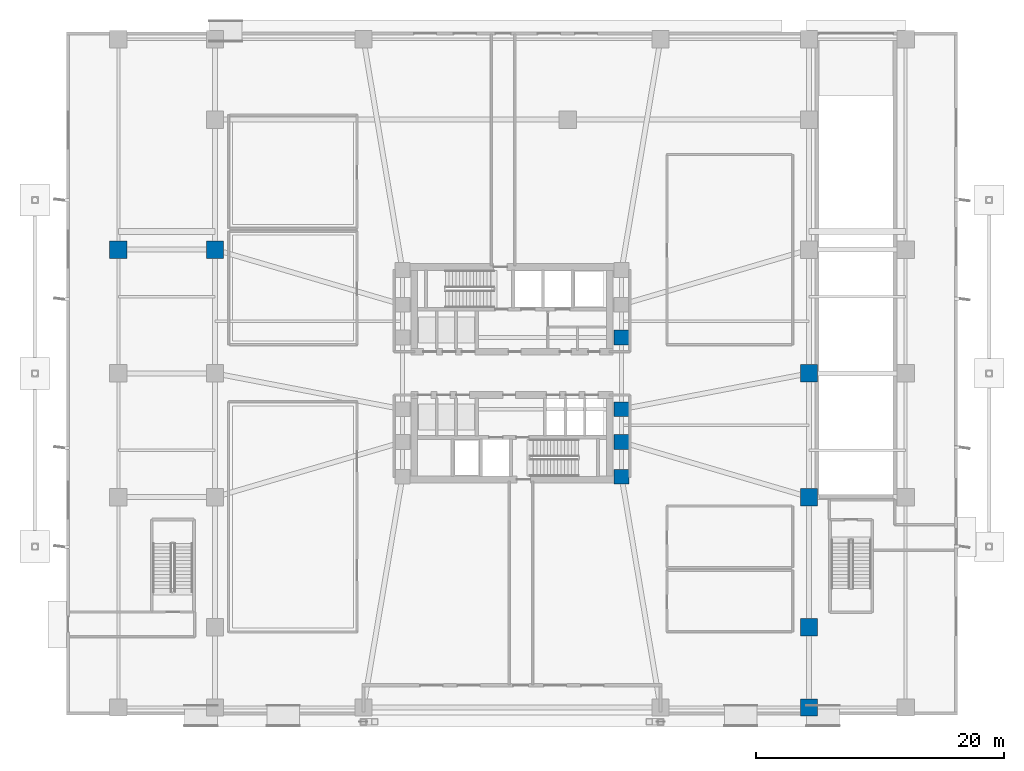
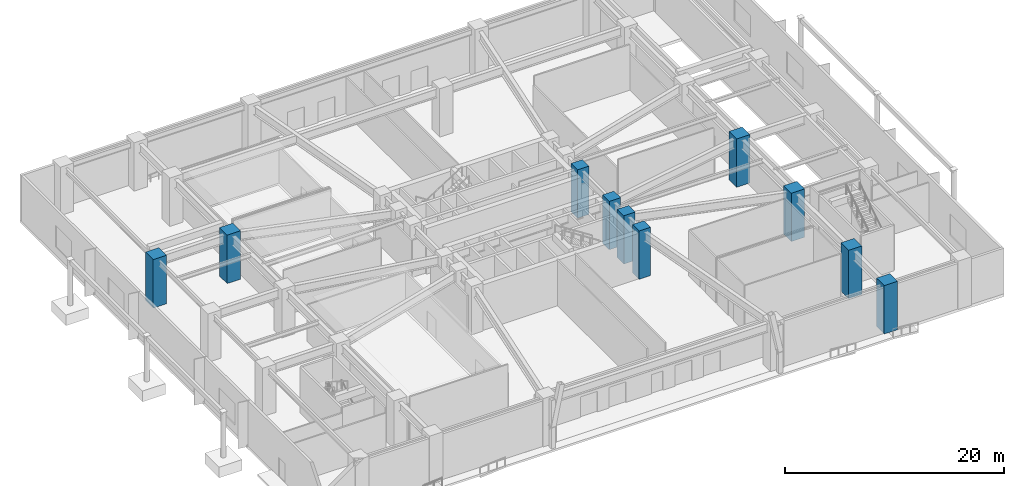
# One storey, part 3 of 20: 10 columns.
"""IFC4 building model written with IfcOpenShell, lengths in metres."""

import ifcopenshell
import ifcopenshell.guid

model = None  # the IFC model being written
_history = None  # IfcOwnerHistory: only IFC2X3 demands one
_inside = {}  # id of a spatial element -> (the spatial element, [elements in it])
_under = {}  # id of a project, library or spatial element -> (it, [spatial elements below it])
_declared = {}  # id of a project -> (the project, [libraries it declares])
_typed = {}  # id of a type object -> (the type object, [elements of that type])
_made_of = {}  # id of a material, layer set ... -> (it, [elements and type objects made of it])


def new_model(schema):
    """Start an empty IFC model of exactly this schema.

    Asked for "IFC4X3", IfcOpenShell would pick the latest addendum, in which some entities
    have other attributes; the version numbers below select the first issue.
    IFC2X3 requires an IfcOwnerHistory on every rooted entity: one is made here for all.
    """
    global model, _history
    if schema == "IFC4X3":
        model = ifcopenshell.file(schema_version=(4, 3, 0, 0))
    else:
        model = ifcopenshell.file(schema=schema)
    _inside.clear()
    _under.clear()
    _declared.clear()
    _typed.clear()
    _made_of.clear()
    _history = None
    if model.schema == "IFC2X3":
        org = make("IfcOrganization", Name="unknown")
        user = make(
            "IfcPersonAndOrganization",
            ThePerson=make("IfcPerson", FamilyName="unknown"),
            TheOrganization=org,
        )
        app = make(
            "IfcApplication",
            ApplicationDeveloper=org,
            Version="unknown",
            ApplicationFullName="unknown",
            ApplicationIdentifier="unknown",
        )
        _history = make(
            "IfcOwnerHistory",
            OwningUser=user,
            OwningApplication=app,
            ChangeAction="ADDED",
            CreationDate=0,
        )
    return model


def make(cls, **values):
    """One entity of the class cls with the attributes given. An attribute that is None is left unset."""
    return model.create_entity(
        cls, **{name: value for name, value in values.items() if value is not None}
    )


def rooted(cls, **values):
    """An entity with a GlobalId (a new one), such as an element, a storey or a relation."""
    return make(cls, GlobalId=ifcopenshell.guid.new(), OwnerHistory=_history, **values)


def si_unit(unit_type, name, prefix=None):
    """IfcSIUnit, for example si_unit("LENGTHUNIT", "METRE", prefix="MILLI")."""
    return make("IfcSIUnit", UnitType=unit_type, Prefix=prefix, Name=name)


def assignment(units):
    """IfcUnitAssignment: the units of a project."""
    return None if units is None else make("IfcUnitAssignment", Units=units)


def point(xyz):
    """IfcCartesianPoint."""
    return None if xyz is None else make("IfcCartesianPoint", Coordinates=xyz)


def direction(xyz):
    """IfcDirection."""
    return None if xyz is None else make("IfcDirection", DirectionRatios=xyz)


def frame(location, z_axis=None, x_axis=None):
    """IfcAxis2Placement3D, a coordinate frame: its origin and axes. An axis left out is left unset."""
    return make(
        "IfcAxis2Placement3D",
        Location=point(location),
        Axis=direction(z_axis),
        RefDirection=direction(x_axis),
    )


def frame_2d(location, x_axis=None):
    """IfcAxis2Placement2D, a coordinate frame in the plane: its origin and x axis."""
    return make(
        "IfcAxis2Placement2D", Location=point(location), RefDirection=direction(x_axis)
    )


def origin():
    """The frame at (0, 0, 0) with its axes left unset."""
    return frame((0.0, 0.0, 0.0))


def origin_2d():
    """The frame at (0, 0) in the plane with its x axis left unset."""
    return frame_2d((0.0, 0.0))


def place(relative_to, where):
    """IfcLocalPlacement: puts the frame where relative to a parent placement (None: the world)."""
    return make(
        "IfcLocalPlacement", PlacementRelTo=relative_to, RelativePlacement=where
    )


def context(
    kind, dimensions, precision=None, world=None, true_north=None, identifier=None
):
    """IfcGeometricRepresentationContext, for example the 3D "Model" context."""
    return make(
        "IfcGeometricRepresentationContext",
        ContextIdentifier=identifier,
        ContextType=kind,
        CoordinateSpaceDimension=dimensions,
        Precision=precision,
        WorldCoordinateSystem=world,
        TrueNorth=true_north,
    )


def subcontext(parent, identifier, kind, view, scale=None):
    """IfcGeometricRepresentationSubContext, for example "Body" below "Model"."""
    return make(
        "IfcGeometricRepresentationSubContext",
        ContextIdentifier=identifier,
        ContextType=kind,
        ParentContext=parent,
        TargetScale=scale,
        TargetView=view,
    )


def project(units=None, contexts=None):
    """IfcProject with its units and contexts."""
    return rooted(
        "IfcProject",
        Name="project",
        RepresentationContexts=contexts,
        UnitsInContext=assignment(units),
    )


def spatial(cls, under=None, at=None, **own):
    """A site, building, storey or space (cls), placed at a placement, below another one or the project."""
    s = rooted(cls, ObjectPlacement=at, **own)
    if under is not None:
        _under.setdefault(under.id(), (under, []))[1].append(s)
    return s


def profile(cls, at=None, kind="AREA", **sizes):
    """A parametric profile (cls). Its sizes go by their IFC names, for example OverallWidth=200.0."""
    return make(cls, ProfileType=kind, Position=at, **sizes)


def rectangle(**sizes):
    """IfcRectangleProfileDef."""
    return profile("IfcRectangleProfileDef", **sizes)


def extrude(swept, where, along, depth):
    """IfcExtrudedAreaSolid: the profile swept, set in the frame where, extruded along a direction by depth."""
    return make(
        "IfcExtrudedAreaSolid",
        SweptArea=swept,
        Position=where,
        ExtrudedDirection=direction(along),
        Depth=depth,
    )


def shape(context_of_items, identifier, shape_type, items):
    """IfcShapeRepresentation: the items that make up one representation, for example the "Body"."""
    return make(
        "IfcShapeRepresentation",
        ContextOfItems=context_of_items,
        RepresentationIdentifier=identifier,
        RepresentationType=shape_type,
        Items=items,
    )


def material(Name=None, Category=None):
    """IfcMaterial."""
    return make("IfcMaterial", Name=Name, Category=Category)


def material_profile(
    of_material, cross_section, Name=None, Category=None, Priority=None
):
    """IfcMaterialProfile: a cross section and its material."""
    return make(
        "IfcMaterialProfile",
        Name=Name,
        Material=of_material,
        Profile=cross_section,
        Priority=Priority,
        Category=Category,
    )


def profile_set(profiles, Name=None, composite=None):
    """IfcMaterialProfileSet."""
    return make(
        "IfcMaterialProfileSet",
        Name=Name,
        MaterialProfiles=profiles,
        CompositeProfile=composite,
    )


def made_of(thing, what):
    """Note that an element or type object is made of a material, layer set ...; save() writes the relation."""
    if what is not None:
        _made_of.setdefault(what.id(), (what, []))[1].append(thing)
    return thing


def type_object(cls, material=None, **own):
    """A type object (cls), such as IfcWallType, which elements share."""
    return made_of(rooted(cls, **own), material)


def element(
    cls,
    number,
    at=None,
    inside=None,
    cuts=None,
    type_object=None,
    material=None,
    context=None,
    identifier="Body",
    shape_type=None,
    held_by="IfcProductDefinitionShape",
    body=None,
    shapes=None,
    **own,
):
    """One element of the class cls, such as IfcWall. Its Tag is "e" and its number.

    at: its placement. inside: the storey or other place that contains it. cuts: it is an
    opening in that element (IfcRelVoidsElement). A single representation is given by context,
    identifier, shape_type and body (its items); several are given by shapes. held_by: the class
    of the entity that holds the representations. save() writes the other relations.
    """
    e = rooted(cls, Tag="e%d" % number, ObjectPlacement=at, **own)
    if body is not None:
        shapes = [shape(context, identifier, shape_type, body)]
    if shapes is not None:
        e.Representation = make(held_by, Representations=shapes)
    if inside is not None:
        _inside.setdefault(inside.id(), (inside, []))[1].append(e)
    if cuts is not None:
        rooted(
            "IfcRelVoidsElement", RelatingBuildingElement=cuts, RelatedOpeningElement=e
        )
    if type_object is not None:
        _typed.setdefault(type_object.id(), (type_object, []))[1].append(e)
    return made_of(e, material)


def aggregate(whole, parts):
    """IfcRelAggregates: a whole, such as a stair, and the parts it consists of."""
    return rooted("IfcRelAggregates", RelatingObject=whole, RelatedObjects=parts)


def save(model, path):
    """Write the relations noted so far, then the file.

    IfcRelAggregates (storeys below a building ...), IfcRelContainedInSpatialStructure (elements
    in a storey), IfcRelDefinesByType, IfcRelAssociatesMaterial and IfcRelDeclares: one each for
    every whole, place, type object, material and project.
    """
    for whole, parts in _under.values():
        aggregate(whole, parts)
    for where, things in _inside.values():
        rooted(
            "IfcRelContainedInSpatialStructure",
            RelatedElements=things,
            RelatingStructure=where,
        )
    for kind, things in _typed.values():
        rooted("IfcRelDefinesByType", RelatedObjects=things, RelatingType=kind)
    for what, things in _made_of.values():
        rooted("IfcRelAssociatesMaterial", RelatedObjects=things, RelatingMaterial=what)
    for by, libraries in _declared.values():
        rooted("IfcRelDeclares", RelatingContext=by, RelatedDefinitions=libraries)
    model.write(path)


model = new_model("IFC4")

# Units and contexts
model_context = context("Model", 3, precision=1e-05, world=origin(), true_north=direction((0.0, 1.0)))
body_context = subcontext(model_context, "Body", "Model", "MODEL_VIEW")
ifc_project = project(units=[si_unit("LENGTHUNIT", "METRE"), si_unit("AREAUNIT", "SQUARE_METRE"), si_unit("VOLUMEUNIT", "CUBIC_METRE"), si_unit("PLANEANGLEUNIT", "RADIAN"), si_unit("MASSUNIT", "GRAM", prefix="KILO")], contexts=[model_context])

# Site, building, storey
site_placement = place(None, origin())
site = spatial("IfcSite", under=ifc_project, at=site_placement, CompositionType="ELEMENT")
building_placement = place(site_placement, origin())
building = spatial("IfcBuilding", under=site, at=building_placement, Name="Solmarez Civic Tower", CompositionType="ELEMENT")
storey_placement = place(building_placement, origin())
storey = spatial("IfcBuildingStorey", under=building, at=storey_placement, Name="L00", CompositionType="ELEMENT", Elevation=0.0)

# Columns
ifc_material = material(Name="Concrete C60/75", Category="concrete")
ifc_material_profile_1 = material_profile(ifc_material, rectangle(XDim=1.199951171875, YDim=1.199951171875, at=origin_2d()), Name="RC1200X1200")
ifc_profile_set_1 = profile_set([ifc_material_profile_1], Name="Concrete C60/75")
column_type_1 = type_object("IfcColumnType", Name="COL-RC1200", PredefinedType="COLUMN", material=ifc_profile_set_1)
for number, where, z_axis, x_axis, name in (
    (1, (8.85009765625, -5.550048828125, 0.0), (0.0, 0.0, 1.0), (1.0, 0.0, 0.0), "L00 Structural Column HC5"),
    (2, (8.85009765625, -2.89990234375, 0.0), (0.0, 0.0, 1.0), (1.0, 0.0, 0.0), "L00 Structural Column HC6"),
    (3, (8.85009765625, 2.89990234375, 0.0), (0.0, 0.0, 1.0), (1.0, 0.0, 0.0), "L00 Structural Column HC7"),
    (4, (8.85009765625, -8.35009765625, 0.0), (0.0, 0.0, 1.0), (1.0, 0.0, 0.0), "L00 Structural Column HC10"),
):
    element("IfcColumn", number, at=place(storey_placement, frame(where, z_axis=z_axis, x_axis=x_axis)), inside=storey, type_object=column_type_1, Name=name, PredefinedType="COLUMN", context=body_context, shape_type="SweptSolid", body=[
        extrude(rectangle(XDim=1.199951171875, YDim=1.199951171875, at=origin_2d()), origin(), (0.0, 0.0, 1.0), 5.39990234375),
    ])
ifc_material_profile_2 = material_profile(ifc_material, rectangle(XDim=1.39990234375, YDim=1.39990234375, at=origin_2d()), Name="RC1400X1400")
ifc_profile_set_2 = profile_set([ifc_material_profile_2], Name="Concrete C60/75")
column_type_2 = type_object("IfcColumnType", Name="COL-RC1400", PredefinedType="COLUMN", material=ifc_profile_set_2)
for number, where, z_axis, x_axis, name in (
    (5, (24.0, -27.0, 0.0), (0.0, 0.0, 1.0), (1.0, 0.0, 0.0), "L00 Structural Column PC05"),
    (6, (-31.800048828125, 10.0, 0.0), (0.0, 0.0, 1.0), (1.0, 0.0, 0.0), "L00 Structural Column PC15"),
    (7, (-24.0, 10.0, 0.0), (0.0, 0.0, 1.0), (1.0, 0.0, 0.0), "L00 Structural Column PC21"),
    (8, (24.0, -10.0, 0.0), (0.0, 0.0, 1.0), (1.0, 0.0, 0.0), "L00 Structural Column PC22"),
    (9, (24.0, 0.0, 0.0), (0.0, 0.0, 1.0), (1.0, 0.0, 0.0), "L00 Structural Column PC23"),
    (10, (24.0, -20.5, 0.0), (0.0, 0.0, 1.0), (1.0, 0.0, 0.0), "L00 Structural Column PC28"),
):
    element("IfcColumn", number, at=place(storey_placement, frame(where, z_axis=z_axis, x_axis=x_axis)), inside=storey, type_object=column_type_2, Name=name, PredefinedType="COLUMN", context=body_context, shape_type="SweptSolid", body=[
        extrude(rectangle(XDim=1.39990234375, YDim=1.39990234375, at=origin_2d()), origin(), (0.0, 0.0, 1.0), 5.39990234375),
    ])

save(model, "model.ifc")
